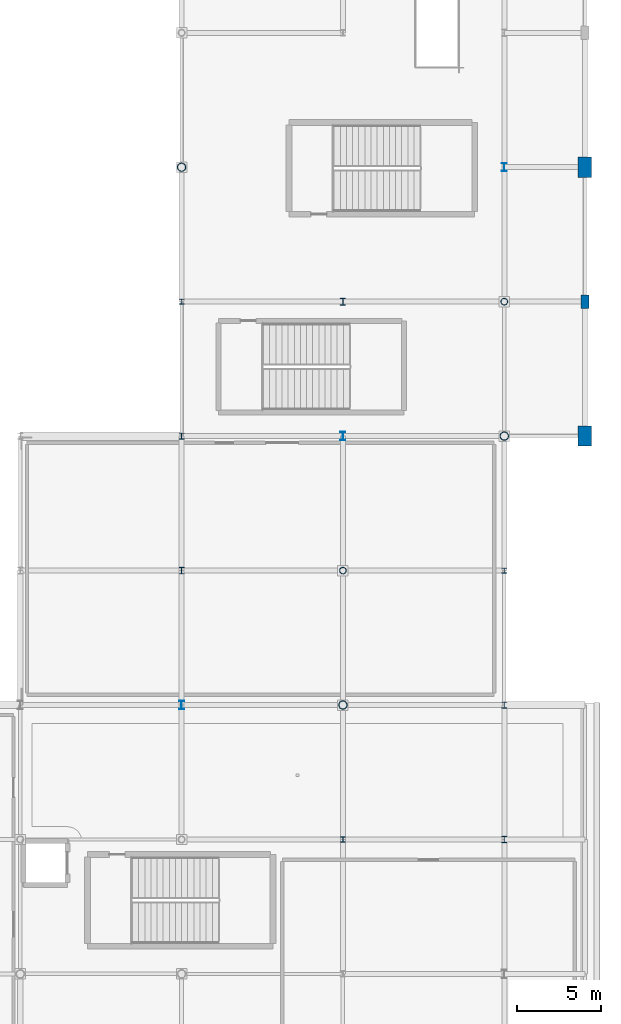
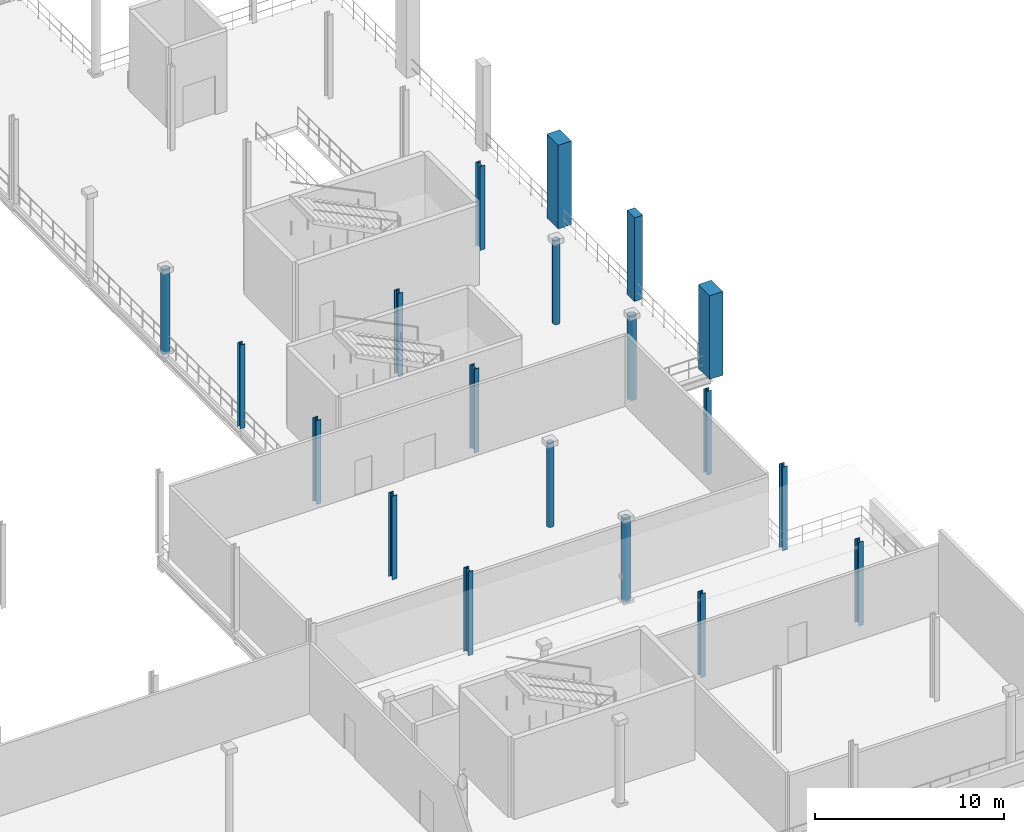
# One storey, part 16 of 129: 19 columns.
"""IFC4 building model written with IfcOpenShell, lengths in metres."""

from ifc_helpers import new_model, si_unit, direction, frame, origin, origin_2d, place, context, subcontext, project, spatial, rectangle, hollow_circle, i_section, extrude, material, material_profile, profile_set, type_object, element, save


model = new_model("IFC4")

# Units and contexts
model_context = context("Model", 3, precision=1e-05, world=origin(), true_north=direction((0.0, 1.0)))
body_context = subcontext(model_context, "Body", "Model", "MODEL_VIEW")
ifc_project = project(units=[si_unit("LENGTHUNIT", "METRE"), si_unit("AREAUNIT", "SQUARE_METRE"), si_unit("VOLUMEUNIT", "CUBIC_METRE"), si_unit("PLANEANGLEUNIT", "RADIAN"), si_unit("MASSUNIT", "GRAM", prefix="KILO")], contexts=[model_context])

# Site, building, storey
site_placement = place(None, origin())
site = spatial("IfcSite", under=ifc_project, at=site_placement, CompositionType="ELEMENT")
building_placement = place(site_placement, origin())
building = spatial("IfcBuilding", under=site, at=building_placement, Name="Danafjord Basin Convention Centre", CompositionType="ELEMENT")
storey_placement = place(building_placement, frame((0.0, 0.0, 6.0)))
storey = spatial("IfcBuildingStorey", under=building, at=storey_placement, Name="L01", CompositionType="ELEMENT", Elevation=6.0)

# Columns
ifc_material_1 = material(Name="Steel S355", Category="steel")
ifc_material_profile_1 = material_profile(ifc_material_1, hollow_circle(Radius=0.203125, WallThickness=0.02001953125, at=origin_2d()), Name="CHS 406.4x20.0")
ifc_profile_set_1 = profile_set([ifc_material_profile_1], Name="Steel S355")
column_type_1 = type_object("IfcColumnType", Name="COL-C-CHS406", PredefinedType="COLUMN", material=ifc_profile_set_1)
for number, where, z_axis, x_axis, name in (
    (1, (201.60009765625, 32.0, 0.0), (0.0, 0.0, 1.0), (1.0, 0.0, 0.0), "L01 column C-CHS406 at (201.6, 32.0)"),
    (2, (211.199951171875, 48.0, 0.0), (0.0, 0.0, 1.0), (1.0, 0.0, 0.0), "L01 column C-CHS406 at (211.2, 48.0)"),
):
    element("IfcColumn", number, at=place(storey_placement, frame(where, z_axis=z_axis, x_axis=x_axis)), inside=storey, type_object=column_type_1, Name=name, PredefinedType="COLUMN", context=body_context, shape_type="SweptSolid", body=[
        extrude(hollow_circle(Radius=0.203125, WallThickness=0.02001953125, at=origin_2d()), origin(), (0.0, 0.0, 1.0), 5.39990234375),
    ])
ifc_material_profile_2 = material_profile(ifc_material_1, hollow_circle(Radius=0.25390625, WallThickness=0.02490234375, at=origin_2d()), Name="CHS 508.0x25.0")
ifc_profile_set_2 = profile_set([ifc_material_profile_2], Name="Steel S355")
column_type_2 = type_object("IfcColumnType", Name="COL-C-CHS508", PredefinedType="COLUMN", material=ifc_profile_set_2)
for number, where, z_axis, x_axis, name in (
    (3, (192.0, 56.0, 0.0), (0.0, 0.0, 1.0), (1.0, 0.0, 0.0), "L01 column C-CHS508 at (192.0, 56.0)"),
    (4, (201.60009765625, 24.0, 0.0), (0.0, 0.0, 1.0), (1.0, 0.0, 0.0), "L01 column C-CHS508 at (201.6, 24.0)"),
    (5, (211.199951171875, 40.0, 0.0), (0.0, 0.0, 1.0), (1.0, 0.0, 0.0), "L01 column C-CHS508 at (211.2, 40.0)"),
):
    element("IfcColumn", number, at=place(storey_placement, frame(where, z_axis=z_axis, x_axis=x_axis)), inside=storey, type_object=column_type_2, Name=name, PredefinedType="COLUMN", context=body_context, shape_type="SweptSolid", body=[
        extrude(hollow_circle(Radius=0.25390625, WallThickness=0.02490234375, at=origin_2d()), origin(), (0.0, 0.0, 1.0), 5.39990234375),
    ])
ifc_material_profile_3 = material_profile(ifc_material_1, i_section(OverallWidth=0.300048828125, OverallDepth=0.300048828125, WebThickness=0.010986328125, FlangeThickness=0.01904296875, FilletRadius=0.027099609375, at=origin_2d()), Name="HEB 300")
ifc_profile_set_3 = profile_set([ifc_material_profile_3], Name="Steel S355")
column_type_3 = type_object("IfcColumnType", Name="COL-C-HEB300", PredefinedType="COLUMN", material=ifc_profile_set_3)
for number, where, z_axis, x_axis, name in (
    (6, (192.0, 48.0, 0.0), (0.0, 0.0, 1.0), (1.0, 0.0, 0.0), "L01 column C-HEB300 at (192.0, 48.0)"),
    (7, (201.60009765625, 16.0, 0.0), (0.0, 0.0, 1.0), (1.0, 0.0, 0.0), "L01 column C-HEB300 at (201.6, 16.0)"),
    (8, (211.199951171875, 32.0, 0.0), (0.0, 0.0, 1.0), (1.0, 0.0, 0.0), "L01 column C-HEB300 at (211.2, 32.0)"),
):
    element("IfcColumn", number, at=place(storey_placement, frame(where, z_axis=z_axis, x_axis=x_axis)), inside=storey, type_object=column_type_3, Name=name, PredefinedType="COLUMN", context=body_context, shape_type="SweptSolid", body=[
        extrude(i_section(OverallWidth=0.300048828125, OverallDepth=0.300048828125, WebThickness=0.010986328125, FlangeThickness=0.01904296875, FilletRadius=0.027099609375, at=origin_2d()), origin(), (0.0, 0.0, 1.0), 5.39990234375),
    ])
ifc_material_profile_4 = material_profile(ifc_material_1, i_section(OverallWidth=0.300048828125, OverallDepth=0.360107421875, WebThickness=0.012451171875, FlangeThickness=0.0224609375, FilletRadius=0.027099609375, at=origin_2d()), Name="HEB 360")
ifc_profile_set_4 = profile_set([ifc_material_profile_4], Name="Steel S355")
column_type_4 = type_object("IfcColumnType", Name="COL-C-HEB360", PredefinedType="COLUMN", material=ifc_profile_set_4)
for number, where, z_axis, x_axis, name in (
    (9, (192.0, 40.0, 0.0), (0.0, 0.0, 1.0), (1.0, 0.0, 0.0), "L01 column C-HEB360 at (192.0, 40.0)"),
    (10, (211.199951171875, 24.0, 0.0), (0.0, 0.0, 1.0), (1.0, 0.0, 0.0), "L01 column C-HEB360 at (211.2, 24.0)"),
):
    element("IfcColumn", number, at=place(storey_placement, frame(where, z_axis=z_axis, x_axis=x_axis)), inside=storey, type_object=column_type_4, Name=name, PredefinedType="COLUMN", context=body_context, shape_type="SweptSolid", body=[
        extrude(i_section(OverallWidth=0.300048828125, OverallDepth=0.360107421875, WebThickness=0.012451171875, FlangeThickness=0.0224609375, FilletRadius=0.027099609375, at=origin_2d()), origin(), (0.0, 0.0, 1.0), 5.39990234375),
    ])
ifc_material_profile_5 = material_profile(ifc_material_1, i_section(OverallWidth=0.300048828125, OverallDepth=0.39990234375, WebThickness=0.013427734375, FlangeThickness=0.02392578125, FilletRadius=0.027099609375, at=origin_2d()), Name="HEB 400")
ifc_profile_set_5 = profile_set([ifc_material_profile_5], Name="Steel S355")
column_type_5 = type_object("IfcColumnType", Name="COL-C-HEB400", PredefinedType="COLUMN", material=ifc_profile_set_5)
for number, where, z_axis, x_axis, name in (
    (11, (192.0, 32.0, 0.0), (0.0, 0.0, 1.0), (1.0, 0.0, 0.0), "L01 column C-HEB400 at (192.0, 32.0)"),
    (12, (201.60009765625, 48.0, 0.0), (0.0, 0.0, 1.0), (1.0, 0.0, 0.0), "L01 column C-HEB400 at (201.6, 48.0)"),
    (13, (211.199951171875, 16.0, 0.0), (0.0, 0.0, 1.0), (1.0, 0.0, 0.0), "L01 column C-HEB400 at (211.2, 16.0)"),
):
    element("IfcColumn", number, at=place(storey_placement, frame(where, z_axis=z_axis, x_axis=x_axis)), inside=storey, type_object=column_type_5, Name=name, PredefinedType="COLUMN", context=body_context, shape_type="SweptSolid", body=[
        extrude(i_section(OverallWidth=0.300048828125, OverallDepth=0.39990234375, WebThickness=0.013427734375, FlangeThickness=0.02392578125, FilletRadius=0.027099609375, at=origin_2d()), origin(), (0.0, 0.0, 1.0), 5.39990234375),
    ])
ifc_material_profile_6 = material_profile(ifc_material_1, i_section(OverallWidth=0.300048828125, OverallDepth=0.5, WebThickness=0.014404296875, FlangeThickness=0.028076171875, FilletRadius=0.027099609375, at=origin_2d()), Name="HEB 500")
ifc_profile_set_6 = profile_set([ifc_material_profile_6], Name="Steel S355")
column_type_6 = type_object("IfcColumnType", Name="COL-C-HEB500", PredefinedType="COLUMN", material=ifc_profile_set_6)
for number, where, z_axis, x_axis, name in (
    (14, (192.0, 24.0, 0.0), (0.0, 0.0, 1.0), (1.0, 0.0, 0.0), "L01 column C-HEB500 at (192.0, 24.0)"),
    (15, (201.60009765625, 40.0, 0.0), (0.0, 0.0, 1.0), (1.0, 0.0, 0.0), "L01 column C-HEB500 at (201.6, 40.0)"),
    (16, (211.199951171875, 56.0, 0.0), (0.0, 0.0, 1.0), (1.0, 0.0, 0.0), "L01 column C-HEB500 at (211.2, 56.0)"),
):
    element("IfcColumn", number, at=place(storey_placement, frame(where, z_axis=z_axis, x_axis=x_axis)), inside=storey, type_object=column_type_6, Name=name, PredefinedType="COLUMN", context=body_context, shape_type="SweptSolid", body=[
        extrude(i_section(OverallWidth=0.300048828125, OverallDepth=0.5, WebThickness=0.014404296875, FlangeThickness=0.028076171875, FilletRadius=0.027099609375, at=origin_2d()), origin(), (0.0, 0.0, 1.0), 5.39990234375),
    ])
ifc_material_2 = material(Name="Precast concrete C45/55", Category="concrete")
ifc_material_profile_7 = material_profile(ifc_material_2, rectangle(XDim=0.800048828125, YDim=1.199951171875, at=origin_2d()), Name="RC 1200x800")
ifc_profile_set_7 = profile_set([ifc_material_profile_7], Name="Precast concrete C45/55")
column_type_7 = type_object("IfcColumnType", Name="COL-C-PIL1200", PredefinedType="PILASTER", material=ifc_profile_set_7)
for number, where, z_axis, x_axis, name in (
    (17, (216.0, 40.0, 0.0), (0.0, 0.0, 1.0), (1.0, 0.0, 0.0), "L01 column C-PIL1200 at (216.0, 40.0)"),
    (18, (216.0, 56.0, 0.0), (0.0, 0.0, 1.0), (1.0, 0.0, 0.0), "L01 column C-PIL1200 at (216.0, 56.0)"),
):
    element("IfcColumn", number, at=place(storey_placement, frame(where, z_axis=z_axis, x_axis=x_axis)), inside=storey, type_object=column_type_7, Name=name, PredefinedType="PILASTER", context=body_context, shape_type="SweptSolid", body=[
        extrude(rectangle(XDim=0.800048828125, YDim=1.199951171875, at=origin_2d()), origin(), (0.0, 0.0, 1.0), 5.39990234375),
    ])
ifc_material_profile_8 = material_profile(ifc_material_2, rectangle(XDim=0.5, YDim=0.800048828125, at=origin_2d()), Name="PCB 500x800")
ifc_profile_set_8 = profile_set([ifc_material_profile_8], Name="Precast concrete C45/55")
column_type_8 = type_object("IfcColumnType", Name="COL-C-PIL800", PredefinedType="PILASTER", material=ifc_profile_set_8)
column_placement = place(storey_placement, frame((216.0, 48.0, 0.0), z_axis=(0.0, 0.0, 1.0), x_axis=(1.0, 0.0, 0.0)))
element("IfcColumn", 19, at=column_placement, inside=storey, type_object=column_type_8, Name="L01 column C-PIL800 at (216.0, 48.0)", PredefinedType="PILASTER", context=body_context, shape_type="SweptSolid", body=[
    extrude(rectangle(XDim=0.5, YDim=0.800048828125, at=origin_2d()), origin(), (0.0, 0.0, 1.0), 5.39990234375),
])

save(model, "model.ifc")
